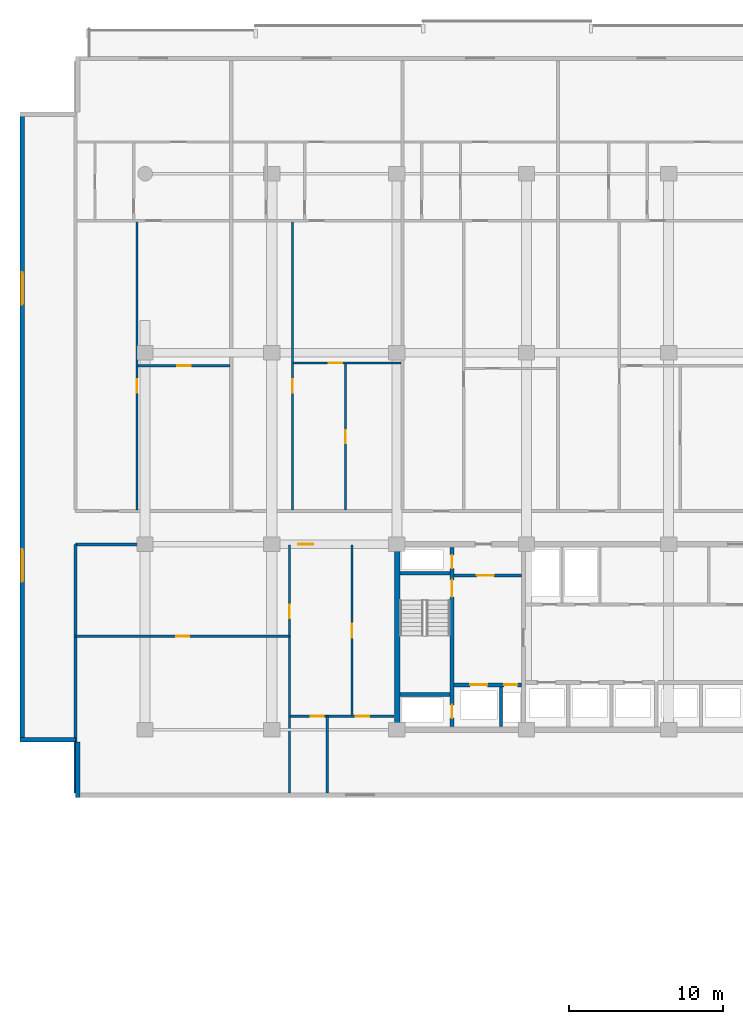
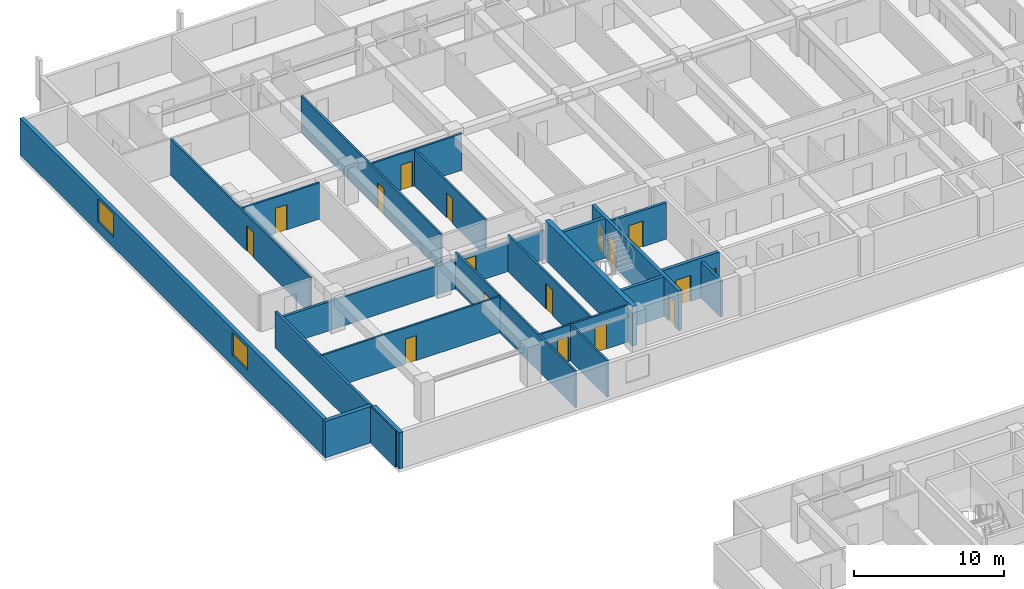
# One storey, part 9 of 23: 22 walls, 17 doors, 2 windows, 19 openings.
"""IFC4 building model written with IfcOpenShell, lengths in metres."""

from ifc_helpers import new_model, si_unit, direction, frame, frame_2d, origin, place, context, subcontext, project, spatial, rectangle, extrude, material, layer, layer_set, type_object, element, fill, save


model = new_model("IFC4")

# Units and contexts
model_context = context("Model", 3, precision=1e-05, world=origin(), true_north=direction((0.0, 1.0)))
body_context = subcontext(model_context, "Body", "Model", "MODEL_VIEW")
ifc_project = project(units=[si_unit("LENGTHUNIT", "METRE"), si_unit("AREAUNIT", "SQUARE_METRE"), si_unit("VOLUMEUNIT", "CUBIC_METRE"), si_unit("PLANEANGLEUNIT", "RADIAN"), si_unit("MASSUNIT", "GRAM", prefix="KILO")], contexts=[model_context])

# Site, building, storey
site_placement = place(None, origin())
site = spatial("IfcSite", under=ifc_project, at=site_placement, CompositionType="ELEMENT")
building_placement = place(site_placement, origin())
building = spatial("IfcBuilding", under=site, at=building_placement, Name="Korimba Cascade Residences", CompositionType="ELEMENT")
storey_placement = place(building_placement, frame((0.0, 0.0, 27.25)))
storey = spatial("IfcBuildingStorey", under=building, at=storey_placement, Name="L06", CompositionType="ELEMENT", Elevation=27.25)

# Wall, openings, windows
ifc_material_1 = material(Name="Precast concrete C40/50", Category="concrete")
ifc_layer_1 = layer(ifc_material_1, 0.300048828125)
ifc_layer_set_1 = layer_set([ifc_layer_1], Name="Precast concrete C40/50")
wall_type_1 = type_object("IfcWallType", Name="EW-STONE-300", PredefinedType="STANDARD", material=ifc_layer_set_1)
wall_1_placement = place(storey_placement, frame((51.85009765625, 95.199951171875, 0.0), z_axis=(0.0, 0.0, 1.0), x_axis=(0.0, -1.0, 0.0)))
wall_1 = element("IfcWall", 1, at=wall_1_placement, inside=storey, type_object=wall_type_1, Name="L06 T1 Perimeter Stone Wall E09", PredefinedType="STANDARD", context=body_context, shape_type="SweptSolid", body=[
    extrude(rectangle(XDim=40.800048828125, YDim=0.300048828125, at=frame_2d((20.39990234375, 0.0))), origin(), (0.0, 0.0, 1.0), 2.969970703125),
])
opening_1_placement = place(wall_1_placement, frame((10.3740234375, 0.0, 0.85009765625)))
opening_1 = element("IfcOpeningElement", 2, at=opening_1_placement, cuts=wall_1, Name="Opening W-03", PredefinedType="OPENING", context=body_context, shape_type="SweptSolid", body=[
    extrude(rectangle(XDim=2.10009765625, YDim=1.85009765625, at=frame_2d((1.050048828125, 0.925048828125))), frame((0.0, 0.16015625, 0.0), z_axis=(0.0, -1.0, 0.0), x_axis=(1.0, 0.0, 0.0)), (0.0, 0.0, 1.0), 0.320068359375),
])
opening_2_placement = place(wall_1_placement, frame((28.325927734375, 0.0, 0.85009765625)))
opening_2 = element("IfcOpeningElement", 3, at=opening_2_placement, cuts=wall_1, Name="Opening W-03", PredefinedType="OPENING", context=body_context, shape_type="SweptSolid", body=[
    extrude(rectangle(XDim=2.10009765625, YDim=1.85009765625, at=frame_2d((1.050048828125, 0.925048828125))), frame((0.0, 0.16015625, 0.0), z_axis=(0.0, -1.0, 0.0), x_axis=(1.0, 0.0, 0.0)), (0.0, 0.0, 1.0), 0.320068359375),
])
ifc_material_2 = material(Name="Double-Glazed Aluminium Window", Category="aluminium")
window_type = type_object("IfcWindowType", Name="WIN-CRN-2100", PartitioningType="DOUBLE_PANEL_HORIZONTAL", PredefinedType="WINDOW", material=ifc_material_2)
window_1_placement = place(opening_1_placement, origin())
window_1 = element("IfcWindow", 4, at=window_1_placement, inside=storey, type_object=window_type, Name="L06 T1 End View Window 9.1", OverallHeight=1.85009765625, OverallWidth=2.10009765625, PartitioningType="DOUBLE_PANEL_HORIZONTAL", PredefinedType="WINDOW", context=body_context, shape_type="SweptSolid", body=[
    extrude(rectangle(XDim=2.10009765625, YDim=1.85009765625, at=frame_2d((1.050048828125, 0.925048828125))), frame((0.0, 0.030029296875, 0.0), z_axis=(0.0, -1.0, 0.0), x_axis=(1.0, 0.0, 0.0)), (0.0, 0.0, 1.0), 0.06005859375),
])
fill(opening_1, window_1)
window_2_placement = place(opening_2_placement, origin())
window_2 = element("IfcWindow", 5, at=window_2_placement, inside=storey, type_object=window_type, Name="L06 T1 End View Window 9.2", OverallHeight=1.85009765625, OverallWidth=2.10009765625, PartitioningType="DOUBLE_PANEL_HORIZONTAL", PredefinedType="WINDOW", context=body_context, shape_type="SweptSolid", body=[
    extrude(rectangle(XDim=2.10009765625, YDim=1.85009765625, at=frame_2d((1.050048828125, 0.925048828125))), frame((0.0, 0.030029296875, 0.0), z_axis=(0.0, -1.0, 0.0), x_axis=(1.0, 0.0, 0.0)), (0.0, 0.0, 1.0), 0.06005859375),
])
fill(opening_2, window_2)

# Walls
wall_2_placement = place(storey_placement, frame((51.699951171875, 54.550048828125, 0.0), z_axis=(0.0, 0.0, 1.0), x_axis=(1.0, 0.0, 0.0)))
element("IfcWall", 6, at=wall_2_placement, inside=storey, type_object=wall_type_1, Name="L06 T1 Perimeter Stone Wall E10", PredefinedType="STANDARD", context=body_context, shape_type="SweptSolid", body=[
    extrude(rectangle(XDim=3.60009765625, YDim=0.300048828125, at=frame_2d((1.800048828125, 0.0))), origin(), (0.0, 0.0, 1.0), 2.969970703125),
])
wall_3_placement = place(storey_placement, frame((55.449951171875, 54.39990234375, 0.0), z_axis=(0.0, 0.0, 1.0), x_axis=(0.0, -1.0, 0.0)))
element("IfcWall", 7, at=wall_3_placement, inside=storey, type_object=wall_type_1, Name="L06 T1 Perimeter Stone Wall E11", PredefinedType="STANDARD", context=body_context, shape_type="SweptSolid", body=[
    extrude(rectangle(XDim=3.599853515625, YDim=0.300048828125, at=frame_2d((1.7998046875, 0.0))), origin(), (0.0, 0.0, 1.0), 2.969970703125),
])
ifc_material_3 = material(Name="Concrete C65/80", Category="concrete")
ifc_layer_2 = layer(ifc_material_3, 0.35009765625)
ifc_layer_set_2 = layer_set([ifc_layer_2], Name="Concrete C65/80")
wall_type_2 = type_object("IfcWallType", Name="WAL-CORE-350", PredefinedType="SHEAR", material=ifc_layer_set_2)
wall_4_placement = place(storey_placement, frame((76.125, 55.375, 0.0), z_axis=(0.0, 0.0, 1.0), x_axis=(0.0, 1.0, 0.0)))
element("IfcWall", 8, at=wall_4_placement, inside=storey, type_object=wall_type_2, Name="L06 Core Shear Wall CW-L06-T1-W", PredefinedType="SHEAR", context=body_context, shape_type="SweptSolid", body=[
    extrude(rectangle(XDim=11.64990234375, YDim=0.35009765625, at=frame_2d((5.824951171875, 0.0))), origin(), (0.0, 0.0, 1.0), 3.25),
])
ifc_layer_3 = layer(ifc_material_1, 0.199951171875)
ifc_layer_set_3 = layer_set([ifc_layer_3], Name="Precast concrete C40/50")
wall_type_3 = type_object("IfcWallType", Name="WAL-IT-200", PredefinedType="PARTITIONING", material=ifc_layer_set_3)
wall_5_placement = place(storey_placement, frame((55.300048828125, 51.10009765625, 0.0), z_axis=(0.0, 0.0, 1.0), x_axis=(0.0, 1.0, 0.0)))
element("IfcWall", 9, at=wall_5_placement, inside=storey, type_object=wall_type_3, Name="L06 Partition Wall WAL-L06-T1-FW-WL", PredefinedType="PARTITIONING", context=body_context, shape_type="SweptSolid", body=[
    extrude(rectangle(XDim=16.099853515625, YDim=0.199951171875, at=frame_2d((8.0498046875, 0.0))), origin(), (0.0, 0.0, 1.0), 2.969970703125),
])

# Wall, opening, door
wall_6_placement = place(storey_placement, frame((55.300048828125, 67.199951171875, 0.0), z_axis=(0.0, 0.0, 1.0), x_axis=(1.0, 0.0, 0.0)))
wall_6 = element("IfcWall", 10, at=wall_6_placement, inside=storey, type_object=wall_type_3, Name="L06 Partition Wall WAL-L06-T1-FW-N", PredefinedType="PARTITIONING", context=body_context, shape_type="SweptSolid", body=[
    extrude(rectangle(XDim=20.64990234375, YDim=0.199951171875, at=frame_2d((10.324951171875, 0.0))), origin(), (0.0, 0.0, 1.0), 2.3701171875),
])
opening_3_placement = place(wall_6_placement, frame((14.426025390625, 0.0, 0.0)))
opening_3 = element("IfcOpeningElement", 11, at=opening_3_placement, cuts=wall_6, Name="Opening D-UN1", PredefinedType="OPENING", context=body_context, shape_type="SweptSolid", body=[
    extrude(rectangle(XDim=0.949951171875, YDim=2.14990234375, at=frame_2d((0.47509765625, 1.074951171875))), frame((0.0, 0.10986328125, 0.0), z_axis=(0.0, -1.0, 0.0), x_axis=(1.0, 0.0, 0.0)), (0.0, 0.0, 1.0), 0.219970703125),
])
ifc_material_4 = material(Name="Fire-Rated Hardwood Apartment Entrance Door", Category="wood")
door_type_1 = type_object("IfcDoorType", Name="DR-FD60-950", OperationType="NOTDEFINED", PredefinedType="DOOR", material=ifc_material_4)
door_1_placement = place(opening_3_placement, origin())
door_1 = element("IfcDoor", 12, at=door_1_placement, inside=storey, type_object=door_type_1, Name="L06-T1-FW Entrance Door", OperationType="SINGLE_SWING_LEFT", OverallHeight=2.14990234375, OverallWidth=0.949951171875, PredefinedType="DOOR", context=body_context, shape_type="SweptSolid", body=[
    extrude(rectangle(XDim=0.949951171875, YDim=2.14990234375, at=frame_2d((0.47509765625, 1.074951171875))), frame((0.0, 0.02490234375, 0.0), z_axis=(0.0, -1.0, 0.0), x_axis=(1.0, 0.0, 0.0)), (0.0, 0.0, 1.0), 0.050048828125),
])
fill(opening_3, door_1)

ifc_material_5 = material(Name="Insulated Acoustic Stud Partition", Category="gypsum")
ifc_layer_4 = layer(ifc_material_5, 0.14990234375)
ifc_layer_set_4 = layer_set([ifc_layer_4], Name="Insulated Acoustic Stud Partition")
wall_type_4 = type_object("IfcWallType", Name="WAL-PART-150", PredefinedType="PARTITIONING", material=ifc_layer_set_4)
wall_7_placement = place(storey_placement, frame((55.300048828125, 61.25, 0.0), z_axis=(0.0, 0.0, 1.0), x_axis=(1.0, 0.0, 0.0)))
wall_7 = element("IfcWall", 13, at=wall_7_placement, inside=storey, type_object=wall_type_4, Name="L06 Partition Wall WAL-L06-T1-FW-STH", PredefinedType="PARTITIONING", context=body_context, shape_type="SweptSolid", body=[
    extrude(rectangle(XDim=13.849853515625, YDim=0.14990234375, at=frame_2d((6.9248046875, 0.0))), origin(), (0.0, 0.0, 1.0), 2.969970703125),
])
opening_4_placement = place(wall_7_placement, frame((6.5048828125, 0.0, 0.0)))
opening_4 = element("IfcOpeningElement", 14, at=opening_4_placement, cuts=wall_7, Name="Opening D-BT1", PredefinedType="OPENING", context=body_context, shape_type="SweptSolid", body=[
    extrude(rectangle(XDim=0.840087890625, YDim=2.0400390625, at=frame_2d((0.419921875, 1.02001953125))), frame((0.0, 0.0849609375, 0.0), z_axis=(0.0, -1.0, 0.0), x_axis=(1.0, 0.0, 0.0)), (0.0, 0.0, 1.0), 0.169921875),
])
ifc_material_6 = material(Name="Moisture-Resistant Bathroom Timber Door", Category="wood")
door_type_2 = type_object("IfcDoorType", Name="DR-INT-850", OperationType="NOTDEFINED", PredefinedType="DOOR", material=ifc_material_6)
door_2_placement = place(opening_4_placement, origin())
door_2 = element("IfcDoor", 15, at=door_2_placement, inside=storey, type_object=door_type_2, Name="L06-T1-FW Dressing Store Door", OperationType="SINGLE_SWING_RIGHT", OverallHeight=2.0400390625, OverallWidth=0.840087890625, PredefinedType="DOOR", context=body_context, shape_type="SweptSolid", body=[
    extrude(rectangle(XDim=0.840087890625, YDim=2.0400390625, at=frame_2d((0.419921875, 1.02001953125))), frame((0.0, 0.02490234375, 0.0), z_axis=(0.0, -1.0, 0.0), x_axis=(1.0, 0.0, 0.0)), (0.0, 0.0, 1.0), 0.050048828125),
])
fill(opening_4, door_2)

wall_8_placement = place(storey_placement, frame((69.14990234375, 51.10009765625, 0.0), z_axis=(0.0, 0.0, 1.0), x_axis=(0.0, 1.0, 0.0)))
wall_8 = element("IfcWall", 16, at=wall_8_placement, inside=storey, type_object=wall_type_4, Name="L06 Partition Wall WAL-L06-T1-FW-STV", PredefinedType="PARTITIONING", context=body_context, shape_type="SweptSolid", body=[
    extrude(rectangle(XDim=16.0498046875, YDim=0.14990234375, at=frame_2d((8.02490234375, 0.0))), origin(), (0.0, 0.0, 1.0), 2.969970703125),
])
opening_5_placement = place(wall_8_placement, frame((11.300048828125, 0.0, 0.0)))
opening_5 = element("IfcOpeningElement", 17, at=opening_5_placement, cuts=wall_8, Name="Opening D-IN2", PredefinedType="OPENING", context=body_context, shape_type="SweptSolid", body=[
    extrude(rectangle(XDim=0.8798828125, YDim=2.06005859375, at=frame_2d((0.43994140625, 1.030029296875))), frame((0.0, 0.0849609375, 0.0), z_axis=(0.0, -1.0, 0.0), x_axis=(1.0, 0.0, 0.0)), (0.0, 0.0, 1.0), 0.169921875),
])
ifc_material_7 = material(Name="Acoustic Timber Bedroom Door", Category="wood")
door_type_3 = type_object("IfcDoorType", Name="DR-INT-880", OperationType="NOTDEFINED", PredefinedType="DOOR", material=ifc_material_7)
door_3_placement = place(opening_5_placement, origin())
door_3 = element("IfcDoor", 18, at=door_3_placement, inside=storey, type_object=door_type_3, Name="L06-T1-FW Study Door", OperationType="SINGLE_SWING_LEFT", OverallHeight=2.06005859375, OverallWidth=0.8798828125, PredefinedType="DOOR", context=body_context, shape_type="SweptSolid", body=[
    extrude(rectangle(XDim=0.8798828125, YDim=2.06005859375, at=frame_2d((0.43994140625, 1.030029296875))), frame((0.0, 0.02490234375, 0.0), z_axis=(0.0, -1.0, 0.0), x_axis=(1.0, 0.0, 0.0)), (0.0, 0.0, 1.0), 0.050048828125),
])
fill(opening_5, door_3)

wall_9_placement = place(storey_placement, frame((73.199951171875, 56.070068359375, 0.0), z_axis=(0.0, 0.0, 1.0), x_axis=(0.0, 1.0, 0.0)))
wall_9 = element("IfcWall", 19, at=wall_9_placement, inside=storey, type_object=wall_type_4, Name="L06 Partition Wall WAL-L06-T1-FW-VN", PredefinedType="PARTITIONING", context=body_context, shape_type="SweptSolid", body=[
    extrude(rectangle(XDim=11.079833984375, YDim=0.14990234375, at=frame_2d((5.5400390625, 0.0))), origin(), (0.0, 0.0, 1.0), 2.969970703125),
])
opening_6_placement = place(wall_9_placement, frame((5.080078125, 0.0, 0.0)))
opening_6 = element("IfcOpeningElement", 20, at=opening_6_placement, cuts=wall_9, Name="Opening D-IN1", PredefinedType="OPENING", context=body_context, shape_type="SweptSolid", body=[
    extrude(rectangle(XDim=0.919921875, YDim=2.080078125, at=frame_2d((0.4599609375, 1.0400390625))), frame((0.0, 0.0849609375, 0.0), z_axis=(0.0, -1.0, 0.0), x_axis=(1.0, 0.0, 0.0)), (0.0, 0.0, 1.0), 0.169921875),
])
ifc_material_8 = material(Name="Acoustic Timber Living Door", Category="wood")
door_type_4 = type_object("IfcDoorType", Name="DR-INT-920", OperationType="NOTDEFINED", PredefinedType="DOOR", material=ifc_material_8)
door_4_placement = place(opening_6_placement, origin())
door_4 = element("IfcDoor", 21, at=door_4_placement, inside=storey, type_object=door_type_4, Name="L06-T1-FW Living Door", OperationType="SINGLE_SWING_RIGHT", OverallHeight=2.080078125, OverallWidth=0.919921875, PredefinedType="DOOR", context=body_context, shape_type="SweptSolid", body=[
    extrude(rectangle(XDim=0.919921875, YDim=2.080078125, at=frame_2d((0.4599609375, 1.0400390625))), frame((0.0, 0.02490234375, 0.0), z_axis=(0.0, -1.0, 0.0), x_axis=(1.0, 0.0, 0.0)), (0.0, 0.0, 1.0), 0.050048828125),
])
fill(opening_6, door_4)

# Wall
wall_10_placement = place(storey_placement, frame((71.60009765625, 51.10009765625, 0.0), z_axis=(0.0, 0.0, 1.0), x_axis=(0.0, 1.0, 0.0)))
element("IfcWall", 22, at=wall_10_placement, inside=storey, type_object=wall_type_4, Name="L06 Partition Wall WAL-L06-T1-FW-VS", PredefinedType="PARTITIONING", context=body_context, shape_type="SweptSolid", body=[
    extrude(rectangle(XDim=4.969970703125, YDim=0.14990234375, at=frame_2d((2.48486328125, 0.0))), origin(), (0.0, 0.0, 1.0), 2.969970703125),
])

# Wall, openings, doors
wall_11_placement = place(storey_placement, frame((69.169921875, 56.070068359375, 0.0), z_axis=(0.0, 0.0, 1.0), x_axis=(1.0, 0.0, 0.0)))
wall_11 = element("IfcWall", 23, at=wall_11_placement, inside=storey, type_object=wall_type_4, Name="L06 Partition Wall WAL-L06-T1-FW-H", PredefinedType="PARTITIONING", context=body_context, shape_type="SweptSolid", body=[
    extrude(rectangle(XDim=6.760009765625, YDim=0.14990234375, at=frame_2d((3.3798828125, 0.0))), origin(), (0.0, 0.0, 1.0), 2.969970703125),
])
opening_7_placement = place(wall_11_placement, frame((1.3623046875, 0.0, 0.0)))
opening_7 = element("IfcOpeningElement", 24, at=opening_7_placement, cuts=wall_11, Name="Opening D-BT1", PredefinedType="OPENING", context=body_context, shape_type="SweptSolid", body=[
    extrude(rectangle(XDim=0.840087890625, YDim=2.0400390625, at=frame_2d((0.419921875, 1.02001953125))), frame((0.0, 0.0849609375, 0.0), z_axis=(0.0, -1.0, 0.0), x_axis=(1.0, 0.0, 0.0)), (0.0, 0.0, 1.0), 0.169921875),
])
opening_8_placement = place(wall_11_placement, frame((4.276611328125, 0.0, 0.0)))
opening_8 = element("IfcOpeningElement", 25, at=opening_8_placement, cuts=wall_11, Name="Opening D-IN2", PredefinedType="OPENING", context=body_context, shape_type="SweptSolid", body=[
    extrude(rectangle(XDim=0.8798828125, YDim=2.06005859375, at=frame_2d((0.43994140625, 1.030029296875))), frame((0.0, 0.0849609375, 0.0), z_axis=(0.0, -1.0, 0.0), x_axis=(1.0, 0.0, 0.0)), (0.0, 0.0, 1.0), 0.169921875),
])
door_5_placement = place(opening_7_placement, origin())
door_5 = element("IfcDoor", 26, at=door_5_placement, inside=storey, type_object=door_type_2, Name="L06-T1-FW Bathroom Door", OperationType="SINGLE_SWING_LEFT", OverallHeight=2.0400390625, OverallWidth=0.840087890625, PredefinedType="DOOR", context=body_context, shape_type="SweptSolid", body=[
    extrude(rectangle(XDim=0.840087890625, YDim=2.0400390625, at=frame_2d((0.419921875, 1.02001953125))), frame((0.0, 0.02490234375, 0.0), z_axis=(0.0, -1.0, 0.0), x_axis=(1.0, 0.0, 0.0)), (0.0, 0.0, 1.0), 0.050048828125),
])
fill(opening_7, door_5)
door_6_placement = place(opening_8_placement, origin())
door_6 = element("IfcDoor", 27, at=door_6_placement, inside=storey, type_object=door_type_3, Name="L06-T1-FW Bedroom Door", OperationType="SINGLE_SWING_RIGHT", OverallHeight=2.06005859375, OverallWidth=0.8798828125, PredefinedType="DOOR", context=body_context, shape_type="SweptSolid", body=[
    extrude(rectangle(XDim=0.8798828125, YDim=2.06005859375, at=frame_2d((0.43994140625, 1.030029296875))), frame((0.0, 0.02490234375, 0.0), z_axis=(0.0, -1.0, 0.0), x_axis=(1.0, 0.0, 0.0)), (0.0, 0.0, 1.0), 0.050048828125),
])
fill(opening_8, door_6)

# Wall, opening, door
wall_12_placement = place(storey_placement, frame((59.330078125, 78.760009765625, 0.0), z_axis=(0.0, 0.0, 1.0), x_axis=(1.0, 0.0, 0.0)))
wall_12 = element("IfcWall", 28, at=wall_12_placement, inside=storey, type_object=wall_type_4, Name="L06 Partition Wall WAL-L06-T1-U01-FMH", PredefinedType="PARTITIONING", context=body_context, shape_type="SweptSolid", body=[
    extrude(rectangle(XDim=5.9677734375, YDim=0.14990234375, at=frame_2d((2.98388671875, 0.0))), origin(), (0.0, 0.0, 1.0), 2.969970703125),
])
opening_9_placement = place(wall_12_placement, frame((2.5439453125, 0.0, 0.0)))
opening_9 = element("IfcOpeningElement", 29, at=opening_9_placement, cuts=wall_12, Name="Opening D-IN2", PredefinedType="OPENING", context=body_context, shape_type="SweptSolid", body=[
    extrude(rectangle(XDim=0.8798828125, YDim=2.06005859375, at=frame_2d((0.43994140625, 1.030029296875))), frame((0.0, 0.0849609375, 0.0), z_axis=(0.0, -1.0, 0.0), x_axis=(1.0, 0.0, 0.0)), (0.0, 0.0, 1.0), 0.169921875),
])
door_7_placement = place(opening_9_placement, origin())
door_7 = element("IfcDoor", 30, at=door_7_placement, inside=storey, type_object=door_type_3, Name="L06-T1-U01 Library Salon Door", OperationType="SINGLE_SWING_RIGHT", OverallHeight=2.06005859375, OverallWidth=0.8798828125, PredefinedType="DOOR", context=body_context, shape_type="SweptSolid", body=[
    extrude(rectangle(XDim=0.8798828125, YDim=2.06005859375, at=frame_2d((0.43994140625, 1.030029296875))), frame((0.0, 0.02490234375, 0.0), z_axis=(0.0, -1.0, 0.0), x_axis=(1.0, 0.0, 0.0)), (0.0, 0.0, 1.0), 0.050048828125),
])
fill(opening_9, door_7)

wall_13_placement = place(storey_placement, frame((59.27001953125, 69.409912109375, 0.0), z_axis=(0.0, 0.0, 1.0), x_axis=(0.0, 1.0, 0.0)))
wall_13 = element("IfcWall", 31, at=wall_13_placement, inside=storey, type_object=wall_type_4, Name="L06 Partition Wall WAL-L06-T1-U01-FV", PredefinedType="PARTITIONING", context=body_context, shape_type="SweptSolid", body=[
    extrude(rectangle(XDim=18.7001953125, YDim=0.14990234375, at=frame_2d((9.35009765625, 0.0))), origin(), (0.0, 0.0, 1.0), 2.969970703125),
])
opening_10_placement = place(wall_13_placement, frame((7.59033203125, 0.0, 0.0)))
opening_10 = element("IfcOpeningElement", 32, at=opening_10_placement, cuts=wall_13, Name="Opening D-IN2", PredefinedType="OPENING", context=body_context, shape_type="SweptSolid", body=[
    extrude(rectangle(XDim=0.8798828125, YDim=2.06005859375, at=frame_2d((0.43994140625, 1.030029296875))), frame((0.0, 0.0849609375, 0.0), z_axis=(0.0, -1.0, 0.0), x_axis=(1.0, 0.0, 0.0)), (0.0, 0.0, 1.0), 0.169921875),
])
door_8_placement = place(opening_10_placement, origin())
door_8 = element("IfcDoor", 33, at=door_8_placement, inside=storey, type_object=door_type_3, Name="L06-T1-U01 Media Lounge Door", OperationType="SINGLE_SWING_LEFT", OverallHeight=2.06005859375, OverallWidth=0.8798828125, PredefinedType="DOOR", context=body_context, shape_type="SweptSolid", body=[
    extrude(rectangle(XDim=0.8798828125, YDim=2.06005859375, at=frame_2d((0.43994140625, 1.030029296875))), frame((0.0, 0.02490234375, 0.0), z_axis=(0.0, -1.0, 0.0), x_axis=(1.0, 0.0, 0.0)), (0.0, 0.0, 1.0), 0.050048828125),
])
fill(opening_10, door_8)

wall_14_placement = place(storey_placement, frame((72.77587890625, 69.409912109375, 0.0), z_axis=(0.0, 0.0, 1.0), x_axis=(0.0, 1.0, 0.0)))
wall_14 = element("IfcWall", 34, at=wall_14_placement, inside=storey, type_object=wall_type_4, Name="L06 Partition Wall WAL-L06-T1-U02-FMV", PredefinedType="PARTITIONING", context=body_context, shape_type="SweptSolid", body=[
    extrude(rectangle(XDim=9.530029296875, YDim=0.14990234375, at=frame_2d((4.76513671875, 0.0))), origin(), (0.0, 0.0, 1.0), 2.969970703125),
])
opening_11_placement = place(wall_14_placement, frame((4.344970703125, 0.0, 0.0)))
opening_11 = element("IfcOpeningElement", 35, at=opening_11_placement, cuts=wall_14, Name="Opening D-BT1", PredefinedType="OPENING", context=body_context, shape_type="SweptSolid", body=[
    extrude(rectangle(XDim=0.840087890625, YDim=2.0400390625, at=frame_2d((0.419921875, 1.02001953125))), frame((0.0, 0.0849609375, 0.0), z_axis=(0.0, -1.0, 0.0), x_axis=(1.0, 0.0, 0.0)), (0.0, 0.0, 1.0), 0.169921875),
])
door_9_placement = place(opening_11_placement, origin())
door_9 = element("IfcDoor", 36, at=door_9_placement, inside=storey, type_object=door_type_2, Name="L06-T1-U02 Wardrobe Door", OperationType="SINGLE_SWING_RIGHT", OverallHeight=2.0400390625, OverallWidth=0.840087890625, PredefinedType="DOOR", context=body_context, shape_type="SweptSolid", body=[
    extrude(rectangle(XDim=0.840087890625, YDim=2.0400390625, at=frame_2d((0.419921875, 1.02001953125))), frame((0.0, 0.02490234375, 0.0), z_axis=(0.0, -1.0, 0.0), x_axis=(1.0, 0.0, 0.0)), (0.0, 0.0, 1.0), 0.050048828125),
])
fill(opening_11, door_9)

wall_15_placement = place(storey_placement, frame((69.407958984375, 78.93994140625, 0.0), z_axis=(0.0, 0.0, 1.0), x_axis=(1.0, 0.0, 0.0)))
wall_15 = element("IfcWall", 37, at=wall_15_placement, inside=storey, type_object=wall_type_4, Name="L06 Partition Wall WAL-L06-T1-U02-FMH", PredefinedType="PARTITIONING", context=body_context, shape_type="SweptSolid", body=[
    extrude(rectangle(XDim=6.9755859375, YDim=0.14990234375, at=frame_2d((3.48779296875, 0.0))), origin(), (0.0, 0.0, 1.0), 2.969970703125),
])
opening_12_placement = place(wall_15_placement, frame((2.267822265625, 0.0, 0.0)))
opening_12 = element("IfcOpeningElement", 38, at=opening_12_placement, cuts=wall_15, Name="Opening D-IN2", PredefinedType="OPENING", context=body_context, shape_type="SweptSolid", body=[
    extrude(rectangle(XDim=0.8798828125, YDim=2.06005859375, at=frame_2d((0.43994140625, 1.030029296875))), frame((0.0, 0.0849609375, 0.0), z_axis=(0.0, -1.0, 0.0), x_axis=(1.0, 0.0, 0.0)), (0.0, 0.0, 1.0), 0.169921875),
])
door_10_placement = place(opening_12_placement, origin())
door_10 = element("IfcDoor", 39, at=door_10_placement, inside=storey, type_object=door_type_3, Name="L06-T1-U02 Library Salon Door", OperationType="SINGLE_SWING_LEFT", OverallHeight=2.06005859375, OverallWidth=0.8798828125, PredefinedType="DOOR", context=body_context, shape_type="SweptSolid", body=[
    extrude(rectangle(XDim=0.8798828125, YDim=2.06005859375, at=frame_2d((0.43994140625, 1.030029296875))), frame((0.0, 0.02490234375, 0.0), z_axis=(0.0, -1.0, 0.0), x_axis=(1.0, 0.0, 0.0)), (0.0, 0.0, 1.0), 0.050048828125),
])
fill(opening_12, door_10)

wall_16_placement = place(storey_placement, frame((69.347900390625, 69.409912109375, 0.0), z_axis=(0.0, 0.0, 1.0), x_axis=(0.0, 1.0, 0.0)))
wall_16 = element("IfcWall", 40, at=wall_16_placement, inside=storey, type_object=wall_type_4, Name="L06 Partition Wall WAL-L06-T1-U02-FV", PredefinedType="PARTITIONING", context=body_context, shape_type="SweptSolid", body=[
    extrude(rectangle(XDim=18.7001953125, YDim=0.14990234375, at=frame_2d((9.35009765625, 0.0))), origin(), (0.0, 0.0, 1.0), 2.969970703125),
])
opening_13_placement = place(wall_16_placement, frame((7.594970703125, 0.0, 0.0)))
opening_13 = element("IfcOpeningElement", 41, at=opening_13_placement, cuts=wall_16, Name="Opening D-IN2", PredefinedType="OPENING", context=body_context, shape_type="SweptSolid", body=[
    extrude(rectangle(XDim=0.8798828125, YDim=2.06005859375, at=frame_2d((0.43994140625, 1.030029296875))), frame((0.0, 0.0849609375, 0.0), z_axis=(0.0, -1.0, 0.0), x_axis=(1.0, 0.0, 0.0)), (0.0, 0.0, 1.0), 0.169921875),
])
door_11_placement = place(opening_13_placement, origin())
door_11 = element("IfcDoor", 42, at=door_11_placement, inside=storey, type_object=door_type_3, Name="L06-T1-U02 Media Lounge Door", OperationType="SINGLE_SWING_RIGHT", OverallHeight=2.06005859375, OverallWidth=0.8798828125, PredefinedType="DOOR", context=body_context, shape_type="SweptSolid", body=[
    extrude(rectangle(XDim=0.8798828125, YDim=2.06005859375, at=frame_2d((0.43994140625, 1.030029296875))), frame((0.0, 0.02490234375, 0.0), z_axis=(0.0, -1.0, 0.0), x_axis=(1.0, 0.0, 0.0)), (0.0, 0.0, 1.0), 0.050048828125),
])
fill(opening_13, door_11)

# Wall
ifc_material_9 = material(Name="Concrete C40/50", Category="concrete")
ifc_layer_5 = layer(ifc_material_9, 0.199951171875)
ifc_layer_set_5 = layer_set([ifc_layer_5], Name="Concrete C40/50")
wall_type_5 = type_object("IfcWallType", Name="WAL-PART-200", PredefinedType="PARTITIONING", material=ifc_layer_set_5)
wall_17_placement = place(storey_placement, frame((82.85009765625, 55.39990234375, 0.0), z_axis=(0.0, 0.0, 1.0), x_axis=(0.0, 1.0, 0.0)))
element("IfcWall", 43, at=wall_17_placement, inside=storey, type_object=wall_type_5, Name="L06 Partition Wall CW-L06-T1-FFLDIV", PredefinedType="PARTITIONING", context=body_context, shape_type="SweptSolid", body=[
    extrude(rectangle(XDim=2.56005859375, YDim=0.199951171875, at=frame_2d((1.280029296875, 0.0))), origin(), (0.0, 0.0, 1.0), 2.969970703125),
])

# Wall, opening, door
wall_18_placement = place(storey_placement, frame((79.7900390625, 65.179931640625, 0.0), z_axis=(0.0, 0.0, 1.0), x_axis=(1.0, 0.0, 0.0)))
wall_18 = element("IfcWall", 44, at=wall_18_placement, inside=storey, type_object=wall_type_5, Name="L06 Partition Wall CW-L06-T1-FFLN", PredefinedType="PARTITIONING", context=body_context, shape_type="SweptSolid", body=[
    extrude(rectangle(XDim=4.389892578125, YDim=0.199951171875, at=frame_2d((2.19482421875, 0.0))), origin(), (0.0, 0.0, 1.0), 2.969970703125),
])
opening_14_placement = place(wall_18_placement, frame((1.5, 0.0, 0.0)))
opening_14 = element("IfcOpeningElement", 45, at=opening_14_placement, cuts=wall_18, Name="Opening D-FD1", PredefinedType="OPENING", context=body_context, shape_type="SweptSolid", body=[
    extrude(rectangle(XDim=1.10009765625, YDim=2.10009765625, at=frame_2d((0.550048828125, 1.050048828125))), frame((0.0, 0.10986328125, 0.0), z_axis=(0.0, -1.0, 0.0), x_axis=(1.0, 0.0, 0.0)), (0.0, 0.0, 1.0), 0.219970703125),
])
ifc_material_10 = material(Name="Fire-Rated Steel Core Door", Category="steel")
door_type_5 = type_object("IfcDoorType", Name="DR-FD120-1100", OperationType="NOTDEFINED", PredefinedType="DOOR", material=ifc_material_10)
door_12_placement = place(opening_14_placement, origin())
door_12 = element("IfcDoor", 46, at=door_12_placement, inside=storey, type_object=door_type_5, Name="L06 West Firefighting Lobby Door", OperationType="SINGLE_SWING_RIGHT", OverallHeight=2.10009765625, OverallWidth=1.10009765625, PredefinedType="DOOR", context=body_context, shape_type="SweptSolid", body=[
    extrude(rectangle(XDim=1.10009765625, YDim=2.10009765625, at=frame_2d((0.550048828125, 1.050048828125))), frame((0.0, 0.02490234375, 0.0), z_axis=(0.0, -1.0, 0.0), x_axis=(1.0, 0.0, 0.0)), (0.0, 0.0, 1.0), 0.050048828125),
])
fill(opening_14, door_12)

# Wall, openings, doors
ifc_material_11 = material(Name="Concrete C50/60", Category="concrete")
ifc_layer_6 = layer(ifc_material_11, 0.25)
ifc_layer_set_6 = layer_set([ifc_layer_6], Name="Concrete C50/60")
wall_type_6 = type_object("IfcWallType", Name="WAL-SHAFT-250", PredefinedType="SHEAR", material=ifc_layer_set_6)
wall_19_placement = place(storey_placement, frame((79.6650390625, 55.39990234375, 0.0), z_axis=(0.0, 0.0, 1.0), x_axis=(0.0, 1.0, 0.0)))
wall_19 = element("IfcWall", 47, at=wall_19_placement, inside=storey, type_object=wall_type_6, Name="L06 Core Shear Wall CW-L06-T1-STW1E", PredefinedType="SHEAR", context=body_context, shape_type="SweptSolid", body=[
    extrude(rectangle(XDim=11.60009765625, YDim=0.25, at=frame_2d((5.800048828125, 0.0))), origin(), (0.0, 0.0, 1.0), 3.25),
])
opening_15_placement = place(wall_19_placement, frame((0.550048828125, 0.0, 0.0)))
opening_15 = element("IfcOpeningElement", 48, at=opening_15_placement, cuts=wall_19, Name="Opening D-RS1", PredefinedType="OPENING", context=body_context, shape_type="SweptSolid", body=[
    extrude(rectangle(XDim=0.85009765625, YDim=2.050048828125, at=frame_2d((0.425048828125, 1.02490234375))), frame((0.0, 0.135009765625, 0.0), z_axis=(0.0, -1.0, 0.0), x_axis=(1.0, 0.0, 0.0)), (0.0, 0.0, 1.0), 0.27001953125),
])
opening_16_placement = place(wall_19_placement, frame((8.39990234375, 0.0, 0.0)))
opening_16 = element("IfcOpeningElement", 49, at=opening_16_placement, cuts=wall_19, Name="Opening D-FD1", PredefinedType="OPENING", context=body_context, shape_type="SweptSolid", body=[
    extrude(rectangle(XDim=1.10009765625, YDim=2.10009765625, at=frame_2d((0.550048828125, 1.050048828125))), frame((0.0, 0.135009765625, 0.0), z_axis=(0.0, -1.0, 0.0), x_axis=(1.0, 0.0, 0.0)), (0.0, 0.0, 1.0), 0.27001953125),
])
opening_17_placement = place(wall_19_placement, frame((10.25, 0.0, 0.0)))
opening_17 = element("IfcOpeningElement", 50, at=opening_17_placement, cuts=wall_19, Name="Opening D-RS1", PredefinedType="OPENING", context=body_context, shape_type="SweptSolid", body=[
    extrude(rectangle(XDim=0.85009765625, YDim=2.050048828125, at=frame_2d((0.425048828125, 1.02490234375))), frame((0.0, 0.135009765625, 0.0), z_axis=(0.0, -1.0, 0.0), x_axis=(1.0, 0.0, 0.0)), (0.0, 0.0, 1.0), 0.27001953125),
])
door_13_placement = place(opening_16_placement, origin())
door_13 = element("IfcDoor", 51, at=door_13_placement, inside=storey, type_object=door_type_5, Name="L06 Fire Stair ST-W1 Door", OperationType="SINGLE_SWING_LEFT", OverallHeight=2.10009765625, OverallWidth=1.10009765625, PredefinedType="DOOR", context=body_context, shape_type="SweptSolid", body=[
    extrude(rectangle(XDim=1.10009765625, YDim=2.10009765625, at=frame_2d((0.550048828125, 1.050048828125))), frame((0.0, 0.02490234375, 0.0), z_axis=(0.0, -1.0, 0.0), x_axis=(1.0, 0.0, 0.0)), (0.0, 0.0, 1.0), 0.050048828125),
])
fill(opening_16, door_13)
ifc_material_12 = material(Name="Fire-Rated Steel Riser Access Door", Category="steel")
door_type_6 = type_object("IfcDoorType", Name="DR-FD60-850", OperationType="NOTDEFINED", PredefinedType="DOOR", material=ifc_material_12)
door_14_placement = place(opening_15_placement, origin())
door_14 = element("IfcDoor", 52, at=door_14_placement, inside=storey, type_object=door_type_6, Name="L06 Smoke Riser Access Door", OperationType="SINGLE_SWING_RIGHT", OverallHeight=2.050048828125, OverallWidth=0.85009765625, PredefinedType="DOOR", context=body_context, shape_type="SweptSolid", body=[
    extrude(rectangle(XDim=0.85009765625, YDim=2.050048828125, at=frame_2d((0.425048828125, 1.02490234375))), frame((0.0, 0.02490234375, 0.0), z_axis=(0.0, -1.0, 0.0), x_axis=(1.0, 0.0, 0.0)), (0.0, 0.0, 1.0), 0.050048828125),
])
fill(opening_15, door_14)
door_15_placement = place(opening_17_placement, origin())
door_15 = element("IfcDoor", 53, at=door_15_placement, inside=storey, type_object=door_type_6, Name="L06 Hydrant Riser Access Door", OperationType="SINGLE_SWING_RIGHT", OverallHeight=2.050048828125, OverallWidth=0.85009765625, PredefinedType="DOOR", context=body_context, shape_type="SweptSolid", body=[
    extrude(rectangle(XDim=0.85009765625, YDim=2.050048828125, at=frame_2d((0.425048828125, 1.02490234375))), frame((0.0, 0.02490234375, 0.0), z_axis=(0.0, -1.0, 0.0), x_axis=(1.0, 0.0, 0.0)), (0.0, 0.0, 1.0), 0.050048828125),
])
fill(opening_17, door_15)

# Walls
for number, where, z_axis, x_axis, name in (
    (54, (76.300048828125, 57.47509765625, 0.0), (0.0, 0.0, 1.0), (1.0, 0.0, 0.0), "L06 Core Shear Wall CW-L06-T1-STW1S"),
    (55, (76.300048828125, 65.324951171875, 0.0), (0.0, 0.0, 1.0), (1.0, 0.0, 0.0), "L06 Core Shear Wall CW-L06-T1-STW1N"),
):
    element("IfcWall", number, at=place(storey_placement, frame(where, z_axis=z_axis, x_axis=x_axis)), inside=storey, type_object=wall_type_6, Name=name, PredefinedType="SHEAR", context=body_context, shape_type="SweptSolid", body=[
        extrude(rectangle(XDim=3.239990234375, YDim=0.25, at=frame_2d((1.6201171875, 0.0))), origin(), (0.0, 0.0, 1.0), 3.25),
    ])

# Wall, openings, doors
wall_20_placement = place(storey_placement, frame((79.7900390625, 58.10009765625, 0.0), z_axis=(0.0, 0.0, 1.0), x_axis=(1.0, 0.0, 0.0)))
wall_20 = element("IfcWall", 56, at=wall_20_placement, inside=storey, type_object=wall_type_6, Name="L06 Core Shear Wall CW-L06-T1-FFLS", PredefinedType="SHEAR", context=body_context, shape_type="SweptSolid", body=[
    extrude(rectangle(XDim=4.389892578125, YDim=0.25, at=frame_2d((2.19482421875, 0.0))), origin(), (0.0, 0.0, 1.0), 3.25),
])
opening_18_placement = place(wall_20_placement, frame((1.050048828125, 0.0, 0.0)))
opening_18 = element("IfcOpeningElement", 57, at=opening_18_placement, cuts=wall_20, Name="Opening LD-01", PredefinedType="OPENING", context=body_context, shape_type="SweptSolid", body=[
    extrude(rectangle(XDim=1.1201171875, YDim=2.1201171875, at=frame_2d((0.56005859375, 1.06005859375))), frame((0.0, 0.135009765625, 0.0), z_axis=(0.0, -1.0, 0.0), x_axis=(1.0, 0.0, 0.0)), (0.0, 0.0, 1.0), 0.27001953125),
])
opening_19_placement = place(wall_20_placement, frame((3.260009765625, 0.0, 0.0)))
opening_19 = element("IfcOpeningElement", 58, at=opening_19_placement, cuts=wall_20, Name="Opening D-RS1", PredefinedType="OPENING", context=body_context, shape_type="SweptSolid", body=[
    extrude(rectangle(XDim=0.85009765625, YDim=2.050048828125, at=frame_2d((0.425048828125, 1.02490234375))), frame((0.0, 0.135009765625, 0.0), z_axis=(0.0, -1.0, 0.0), x_axis=(1.0, 0.0, 0.0)), (0.0, 0.0, 1.0), 0.27001953125),
])
door_16_placement = place(opening_19_placement, origin())
door_16 = element("IfcDoor", 59, at=door_16_placement, inside=storey, type_object=door_type_6, Name="L06 Pressurisation Riser Door", OperationType="SINGLE_SWING_LEFT", OverallHeight=2.050048828125, OverallWidth=0.85009765625, PredefinedType="DOOR", context=body_context, shape_type="SweptSolid", body=[
    extrude(rectangle(XDim=0.85009765625, YDim=2.050048828125, at=frame_2d((0.425048828125, 1.02490234375))), frame((0.0, 0.02490234375, 0.0), z_axis=(0.0, -1.0, 0.0), x_axis=(1.0, 0.0, 0.0)), (0.0, 0.0, 1.0), 0.050048828125),
])
fill(opening_19, door_16)
ifc_material_13 = material(Name="Stainless Steel Lift Landing Sliding Door", Category="steel")
door_type_7 = type_object("IfcDoorType", Name="DR-LIFT-1100", OperationType="NOTDEFINED", PredefinedType="DOOR", material=ifc_material_13)
door_17_placement = place(opening_18_placement, origin())
door_17 = element("IfcDoor", 60, at=door_17_placement, inside=storey, type_object=door_type_7, Name="L06 Firefighting Lift Landing Door FFL-W1", OperationType="SLIDING_TO_LEFT", OverallHeight=2.1201171875, OverallWidth=1.1201171875, PredefinedType="DOOR", context=body_context, shape_type="SweptSolid", body=[
    extrude(rectangle(XDim=1.1201171875, YDim=2.1201171875, at=frame_2d((0.56005859375, 1.06005859375))), frame((0.0, 0.02490234375, 0.0), z_axis=(0.0, -1.0, 0.0), x_axis=(1.0, 0.0, 0.0)), (0.0, 0.0, 1.0), 0.050048828125),
])
fill(opening_18, door_17)

save(model, "model.ifc")
